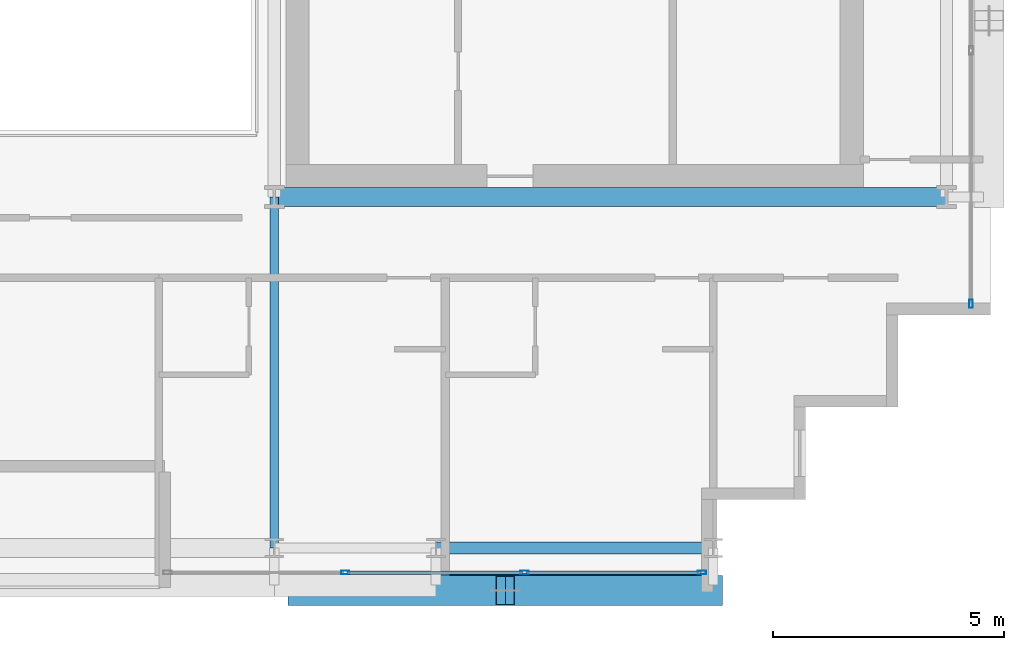
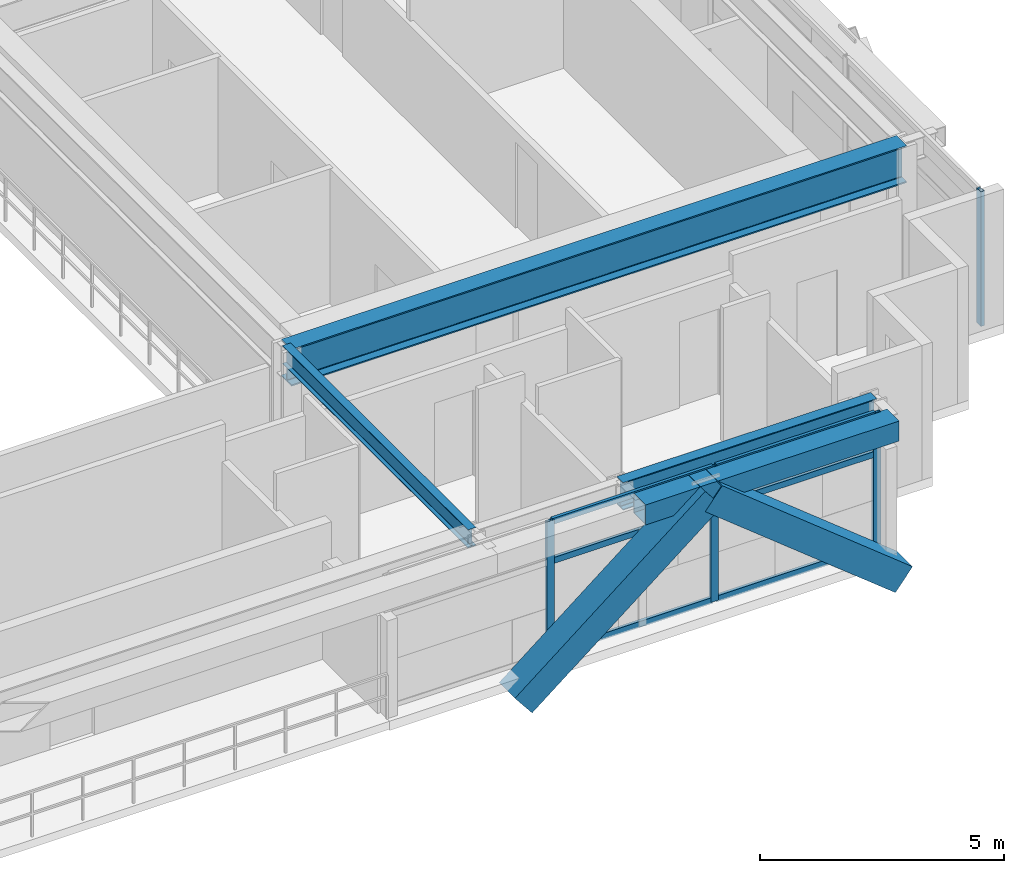
# One storey, part 10 of 31: 12 members, 4 beams, 2 elements without a shape of their own.
"""IFC4 building model written with IfcOpenShell, lengths in metres."""

import ifcopenshell
import ifcopenshell.guid

model = None  # the IFC model being written
_history = None  # IfcOwnerHistory: only IFC2X3 demands one
_inside = {}  # id of a spatial element -> (the spatial element, [elements in it])
_under = {}  # id of a project, library or spatial element -> (it, [spatial elements below it])
_declared = {}  # id of a project -> (the project, [libraries it declares])
_typed = {}  # id of a type object -> (the type object, [elements of that type])
_made_of = {}  # id of a material, layer set ... -> (it, [elements and type objects made of it])


def new_model(schema):
    """Start an empty IFC model of exactly this schema.

    Asked for "IFC4X3", IfcOpenShell would pick the latest addendum, in which some entities
    have other attributes; the version numbers below select the first issue.
    IFC2X3 requires an IfcOwnerHistory on every rooted entity: one is made here for all.
    """
    global model, _history
    if schema == "IFC4X3":
        model = ifcopenshell.file(schema_version=(4, 3, 0, 0))
    else:
        model = ifcopenshell.file(schema=schema)
    _inside.clear()
    _under.clear()
    _declared.clear()
    _typed.clear()
    _made_of.clear()
    _history = None
    if model.schema == "IFC2X3":
        org = make("IfcOrganization", Name="unknown")
        user = make(
            "IfcPersonAndOrganization",
            ThePerson=make("IfcPerson", FamilyName="unknown"),
            TheOrganization=org,
        )
        app = make(
            "IfcApplication",
            ApplicationDeveloper=org,
            Version="unknown",
            ApplicationFullName="unknown",
            ApplicationIdentifier="unknown",
        )
        _history = make(
            "IfcOwnerHistory",
            OwningUser=user,
            OwningApplication=app,
            ChangeAction="ADDED",
            CreationDate=0,
        )
    return model


def make(cls, **values):
    """One entity of the class cls with the attributes given. An attribute that is None is left unset."""
    return model.create_entity(
        cls, **{name: value for name, value in values.items() if value is not None}
    )


def rooted(cls, **values):
    """An entity with a GlobalId (a new one), such as an element, a storey or a relation."""
    return make(cls, GlobalId=ifcopenshell.guid.new(), OwnerHistory=_history, **values)


def si_unit(unit_type, name, prefix=None):
    """IfcSIUnit, for example si_unit("LENGTHUNIT", "METRE", prefix="MILLI")."""
    return make("IfcSIUnit", UnitType=unit_type, Prefix=prefix, Name=name)


def assignment(units):
    """IfcUnitAssignment: the units of a project."""
    return None if units is None else make("IfcUnitAssignment", Units=units)


def point(xyz):
    """IfcCartesianPoint."""
    return None if xyz is None else make("IfcCartesianPoint", Coordinates=xyz)


def direction(xyz):
    """IfcDirection."""
    return None if xyz is None else make("IfcDirection", DirectionRatios=xyz)


def frame(location, z_axis=None, x_axis=None):
    """IfcAxis2Placement3D, a coordinate frame: its origin and axes. An axis left out is left unset."""
    return make(
        "IfcAxis2Placement3D",
        Location=point(location),
        Axis=direction(z_axis),
        RefDirection=direction(x_axis),
    )


def frame_2d(location, x_axis=None):
    """IfcAxis2Placement2D, a coordinate frame in the plane: its origin and x axis."""
    return make(
        "IfcAxis2Placement2D", Location=point(location), RefDirection=direction(x_axis)
    )


def origin():
    """The frame at (0, 0, 0) with its axes left unset."""
    return frame((0.0, 0.0, 0.0))


def origin_2d():
    """The frame at (0, 0) in the plane with its x axis left unset."""
    return frame_2d((0.0, 0.0))


def place(relative_to, where):
    """IfcLocalPlacement: puts the frame where relative to a parent placement (None: the world)."""
    return make(
        "IfcLocalPlacement", PlacementRelTo=relative_to, RelativePlacement=where
    )


def context(
    kind, dimensions, precision=None, world=None, true_north=None, identifier=None
):
    """IfcGeometricRepresentationContext, for example the 3D "Model" context."""
    return make(
        "IfcGeometricRepresentationContext",
        ContextIdentifier=identifier,
        ContextType=kind,
        CoordinateSpaceDimension=dimensions,
        Precision=precision,
        WorldCoordinateSystem=world,
        TrueNorth=true_north,
    )


def subcontext(parent, identifier, kind, view, scale=None):
    """IfcGeometricRepresentationSubContext, for example "Body" below "Model"."""
    return make(
        "IfcGeometricRepresentationSubContext",
        ContextIdentifier=identifier,
        ContextType=kind,
        ParentContext=parent,
        TargetScale=scale,
        TargetView=view,
    )


def project(units=None, contexts=None):
    """IfcProject with its units and contexts."""
    return rooted(
        "IfcProject",
        Name="project",
        RepresentationContexts=contexts,
        UnitsInContext=assignment(units),
    )


def spatial(cls, under=None, at=None, **own):
    """A site, building, storey or space (cls), placed at a placement, below another one or the project."""
    s = rooted(cls, ObjectPlacement=at, **own)
    if under is not None:
        _under.setdefault(under.id(), (under, []))[1].append(s)
    return s


def profile(cls, at=None, kind="AREA", **sizes):
    """A parametric profile (cls). Its sizes go by their IFC names, for example OverallWidth=200.0."""
    return make(cls, ProfileType=kind, Position=at, **sizes)


def hollow_rectangle(**sizes):
    """IfcRectangleHollowProfileDef."""
    return profile("IfcRectangleHollowProfileDef", **sizes)


def i_section(**sizes):
    """IfcIShapeProfileDef."""
    return profile("IfcIShapeProfileDef", **sizes)


def extrude(swept, where, along, depth):
    """IfcExtrudedAreaSolid: the profile swept, set in the frame where, extruded along a direction by depth."""
    return make(
        "IfcExtrudedAreaSolid",
        SweptArea=swept,
        Position=where,
        ExtrudedDirection=direction(along),
        Depth=depth,
    )


def shape(context_of_items, identifier, shape_type, items):
    """IfcShapeRepresentation: the items that make up one representation, for example the "Body"."""
    return make(
        "IfcShapeRepresentation",
        ContextOfItems=context_of_items,
        RepresentationIdentifier=identifier,
        RepresentationType=shape_type,
        Items=items,
    )


def source(mapping_origin, context_of_items, identifier, shape_type, items):
    """IfcRepresentationMap: a shape defined once, which mapped items show again and again."""
    return make(
        "IfcRepresentationMap",
        MappingOrigin=mapping_origin,
        MappedRepresentation=shape(context_of_items, identifier, shape_type, items),
    )


def transform(
    local_origin,
    x_axis=None,
    y_axis=None,
    z_axis=None,
    scale=None,
    scale2=None,
    scale3=None,
    uniform=True,
):
    """IfcCartesianTransformationOperator3D, or its non-uniform kind. x_axis, y_axis, z_axis: its Axis1, 2, 3."""
    if uniform:
        return make(
            "IfcCartesianTransformationOperator3D",
            Axis1=direction(x_axis),
            Axis2=direction(y_axis),
            LocalOrigin=point(local_origin),
            Scale=scale,
            Axis3=direction(z_axis),
        )
    return make(
        "IfcCartesianTransformationOperator3DnonUniform",
        Axis1=direction(x_axis),
        Axis2=direction(y_axis),
        LocalOrigin=point(local_origin),
        Scale=scale,
        Axis3=direction(z_axis),
        Scale2=scale2,
        Scale3=scale3,
    )


def mapped(mapping_source, mapping_target):
    """IfcMappedItem: shows the shape of a source again, moved by a transform."""
    return make(
        "IfcMappedItem", MappingSource=mapping_source, MappingTarget=mapping_target
    )


def material(Name=None, Category=None):
    """IfcMaterial."""
    return make("IfcMaterial", Name=Name, Category=Category)


def layer(
    of_material, thickness, ventilated=None, Name=None, Category=None, Priority=None
):
    """IfcMaterialLayer: one layer of a wall or slab, of a material (None: an air gap)."""
    return make(
        "IfcMaterialLayer",
        Material=of_material,
        LayerThickness=thickness,
        IsVentilated=ventilated,
        Name=Name,
        Category=Category,
        Priority=Priority,
    )


def layer_set(layers, Name=None):
    """IfcMaterialLayerSet."""
    return make("IfcMaterialLayerSet", MaterialLayers=layers, LayerSetName=Name)


def material_profile(
    of_material, cross_section, Name=None, Category=None, Priority=None
):
    """IfcMaterialProfile: a cross section and its material."""
    return make(
        "IfcMaterialProfile",
        Name=Name,
        Material=of_material,
        Profile=cross_section,
        Priority=Priority,
        Category=Category,
    )


def profile_set(profiles, Name=None, composite=None):
    """IfcMaterialProfileSet."""
    return make(
        "IfcMaterialProfileSet",
        Name=Name,
        MaterialProfiles=profiles,
        CompositeProfile=composite,
    )


def made_of(thing, what):
    """Note that an element or type object is made of a material, layer set ...; save() writes the relation."""
    if what is not None:
        _made_of.setdefault(what.id(), (what, []))[1].append(thing)
    return thing


def type_object(cls, material=None, **own):
    """A type object (cls), such as IfcWallType, which elements share."""
    return made_of(rooted(cls, **own), material)


def element(
    cls,
    number,
    at=None,
    inside=None,
    cuts=None,
    type_object=None,
    material=None,
    context=None,
    identifier="Body",
    shape_type=None,
    held_by="IfcProductDefinitionShape",
    body=None,
    shapes=None,
    **own,
):
    """One element of the class cls, such as IfcWall. Its Tag is "e" and its number.

    at: its placement. inside: the storey or other place that contains it. cuts: it is an
    opening in that element (IfcRelVoidsElement). A single representation is given by context,
    identifier, shape_type and body (its items); several are given by shapes. held_by: the class
    of the entity that holds the representations. save() writes the other relations.
    """
    e = rooted(cls, Tag="e%d" % number, ObjectPlacement=at, **own)
    if body is not None:
        shapes = [shape(context, identifier, shape_type, body)]
    if shapes is not None:
        e.Representation = make(held_by, Representations=shapes)
    if inside is not None:
        _inside.setdefault(inside.id(), (inside, []))[1].append(e)
    if cuts is not None:
        rooted(
            "IfcRelVoidsElement", RelatingBuildingElement=cuts, RelatedOpeningElement=e
        )
    if type_object is not None:
        _typed.setdefault(type_object.id(), (type_object, []))[1].append(e)
    return made_of(e, material)


def aggregate(whole, parts):
    """IfcRelAggregates: a whole, such as a stair, and the parts it consists of."""
    return rooted("IfcRelAggregates", RelatingObject=whole, RelatedObjects=parts)


def save(model, path):
    """Write the relations noted so far, then the file.

    IfcRelAggregates (storeys below a building ...), IfcRelContainedInSpatialStructure (elements
    in a storey), IfcRelDefinesByType, IfcRelAssociatesMaterial and IfcRelDeclares: one each for
    every whole, place, type object, material and project.
    """
    for whole, parts in _under.values():
        aggregate(whole, parts)
    for where, things in _inside.values():
        rooted(
            "IfcRelContainedInSpatialStructure",
            RelatedElements=things,
            RelatingStructure=where,
        )
    for kind, things in _typed.values():
        rooted("IfcRelDefinesByType", RelatedObjects=things, RelatingType=kind)
    for what, things in _made_of.values():
        rooted("IfcRelAssociatesMaterial", RelatedObjects=things, RelatingMaterial=what)
    for by, libraries in _declared.values():
        rooted("IfcRelDeclares", RelatingContext=by, RelatedDefinitions=libraries)
    model.write(path)


model = new_model("IFC4")

# Units and contexts
model_context = context("Model", 3, precision=1e-05, world=origin(), true_north=direction((0.0, 1.0)))
body_context = subcontext(model_context, "Body", "Model", "MODEL_VIEW")
ifc_project = project(units=[si_unit("LENGTHUNIT", "METRE"), si_unit("AREAUNIT", "SQUARE_METRE"), si_unit("VOLUMEUNIT", "CUBIC_METRE"), si_unit("PLANEANGLEUNIT", "RADIAN"), si_unit("MASSUNIT", "GRAM", prefix="KILO")], contexts=[model_context])

# Site, building, storey
site_placement = place(None, origin())
site = spatial("IfcSite", under=ifc_project, at=site_placement, CompositionType="ELEMENT")
building_placement = place(site_placement, origin())
building = spatial("IfcBuilding", under=site, at=building_placement, Name="Ocotamira Hotel", CompositionType="ELEMENT")
storey_placement = place(building_placement, frame((0.0, 0.0, 174.0)))
storey = spatial("IfcBuildingStorey", under=building, at=storey_placement, Name="L43", CompositionType="ELEMENT", Elevation=174.0)

# Beams
ifc_material_1 = material(Name="Steel ASTM A992 Grade 50", Category="steel")
ifc_material_profile_1 = material_profile(ifc_material_1, i_section(OverallWidth=0.41796875, OverallDepth=0.927001953125, WebThickness=0.019287109375, FlangeThickness=0.031982421875, FilletRadius=0.02392578125, at=origin_2d()), Name="W36X231")
ifc_profile_set_1 = profile_set([ifc_material_profile_1], Name="Steel ASTM A992 Grade 50")
beam_type_1 = type_object("IfcBeamType", Name="BM-GIRD-W36X231", PredefinedType="BEAM", material=ifc_profile_set_1)
shared_shape_1 = source(origin(), body_context, "Body", "SweptSolid", [
    extrude(i_section(OverallWidth=0.41796875, OverallDepth=0.927001953125, WebThickness=0.019287109375, FlangeThickness=0.031982421875, FilletRadius=0.02392578125, at=origin_2d()), origin(), (0.0, 0.0, 1.0), 14.550048828125),
])
beam_1_placement = place(storey_placement, frame((40.5, 14.550048828125, 2.906494140625), z_axis=(1.0, 0.0, 0.0), x_axis=(0.0, 1.0, 0.0)))
element("IfcBeam", 1, at=beam_1_placement, inside=storey, type_object=beam_type_1, Name="L43 Girder Y14.55 X40.5-55.05", PredefinedType="BEAM", context=body_context, shape_type="MappedRepresentation", body=[
    mapped(shared_shape_1, transform((0.0, 0.0, 0.0), scale=1.0)),
])
ifc_material_profile_2 = material_profile(ifc_material_1, i_section(OverallWidth=0.256103515625, OverallDepth=0.693115234375, WebThickness=0.014404296875, FlangeThickness=0.023681640625, FilletRadius=0.01611328125, at=origin_2d()), Name="W27X114")
ifc_profile_set_2 = profile_set([ifc_material_profile_2], Name="Steel ASTM A992 Grade 50")
beam_type_2 = type_object("IfcBeamType", Name="BM-PRIM-W27X114", PredefinedType="BEAM", material=ifc_profile_set_2)
shared_shape_2 = source(origin(), body_context, "Body", "SweptSolid", [
    extrude(i_section(OverallWidth=0.256103515625, OverallDepth=0.693115234375, WebThickness=0.014404296875, FlangeThickness=0.023681640625, FilletRadius=0.01611328125, at=origin_2d()), origin(), (0.0, 0.0, 1.0), 6.0),
])
beam_2_placement = place(storey_placement, frame((44.0, 6.949951171875, 3.0234375), z_axis=(1.0, 0.0, 0.0), x_axis=(0.0, 1.0, 0.0)))
element("IfcBeam", 2, at=beam_2_placement, inside=storey, type_object=beam_type_2, Name="L43 Girder Y6.95 X44-50", PredefinedType="BEAM", context=body_context, shape_type="MappedRepresentation", body=[
    mapped(shared_shape_2, transform((0.0, 0.0, 0.0), scale=1.0)),
])
ifc_material_2 = material(Name="Steel ASTM A500 Grade C", Category="steel")
ifc_material_profile_3 = material_profile(ifc_material_2, hollow_rectangle(XDim=0.5, YDim=0.5, WallThickness=0.02001953125, at=origin_2d()), Name="HSS500X500X20")
ifc_profile_set_3 = profile_set([ifc_material_profile_3], Name="Steel ASTM A500 Grade C")
beam_type_3 = type_object("IfcBeamType", Name="BM-SPAN-HSS500", PredefinedType="USERDEFINED", material=ifc_profile_set_3)
shared_shape_3 = source(origin(), body_context, "Body", "SweptSolid", [
    extrude(hollow_rectangle(XDim=0.5, YDim=0.5, WallThickness=0.02001953125, at=origin_2d()), origin(), (0.0, 0.0, 1.0), 6.0),
])
beam_3_placement = place(storey_placement, frame((44.0, 6.14990234375, 3.1201171875), z_axis=(1.0, 0.0, 0.0), x_axis=(0.0, 1.0, 0.0)))
element("IfcBeam", 3, at=beam_3_placement, inside=storey, type_object=beam_type_3, Name="L43 Edge Spandrel S X44-50", ObjectType="SPANDREL", PredefinedType="USERDEFINED", context=body_context, shape_type="MappedRepresentation", body=[
    mapped(shared_shape_3, transform((0.0, 0.0, 0.0), scale=1.0)),
])
ifc_material_profile_4 = material_profile(ifc_material_1, i_section(OverallWidth=0.18994140625, OverallDepth=0.45703125, WebThickness=0.009033203125, FlangeThickness=0.014404296875, FilletRadius=0.010009765625, at=origin_2d()), Name="W18X50")
ifc_profile_set_4 = profile_set([ifc_material_profile_4], Name="Steel ASTM A992 Grade 50")
beam_type_4 = type_object("IfcBeamType", Name="BM-SEC-W18X50", PredefinedType="JOIST", material=ifc_profile_set_4)
shared_shape_4 = source(origin(), body_context, "Body", "SweptSolid", [
    extrude(i_section(OverallWidth=0.18994140625, OverallDepth=0.45703125, WebThickness=0.009033203125, FlangeThickness=0.014404296875, FilletRadius=0.010009765625, at=origin_2d()), origin(), (0.0, 0.0, 1.0), 7.60009765625),
])
beam_4_placement = place(storey_placement, frame((40.5, 6.949951171875, 3.1416015625), z_axis=(0.0, 1.0, 0.0), x_axis=(-1.0, 0.0, 0.0)))
element("IfcBeam", 4, at=beam_4_placement, inside=storey, type_object=beam_type_4, Name="L43 Beam X40.5 Y6.95-14.55", PredefinedType="JOIST", context=body_context, shape_type="MappedRepresentation", body=[
    mapped(shared_shape_4, transform((0.0, 0.0, 0.0), scale=1.0)),
])

# Members
ifc_material_3 = material(Name="Pale-metal coated steel ASTM A913 Grade 65", Category="steel")
ifc_material_profile_5 = material_profile(ifc_material_3, hollow_rectangle(XDim=0.64990234375, YDim=0.64990234375, WallThickness=0.02197265625, at=origin_2d()), Name="BOX650X650X22")
ifc_profile_set_5 = profile_set([ifc_material_profile_5], Name="Pale-metal coated steel ASTM A913 Grade 65")
member_type_1 = type_object("IfcMemberType", Name="MEM-EXO-BOX650", PredefinedType="BRACE", material=ifc_profile_set_5)
shared_shape_5 = source(origin(), body_context, "Body", "SweptSolid", [
    extrude(hollow_rectangle(XDim=0.64990234375, YDim=0.64990234375, WallThickness=0.02197265625, at=origin_2d()), origin(), (0.0, 0.0, 1.0), 5.762939453125),
])
for number, where, z_axis, x_axis, name in (
    (5, (41.0, 6.030029296875, -0.47998046875), (0.780860543151, 0.0, 0.624705380279), (0.0, 1.0, 0.0), "L43 Exoskeleton Diagrid S3.1"),
    (6, (50.0, 6.030029296875, -0.47998046875), (-0.780860543151, 0.0, 0.624705380279), (0.0, -1.0, 0.0), "L43 Exoskeleton Diagrid S3.2"),
):
    element("IfcMember", number, at=place(storey_placement, frame(where, z_axis=z_axis, x_axis=x_axis)), inside=storey, type_object=member_type_1, Name=name, PredefinedType="BRACE", context=body_context, shape_type="MappedRepresentation", body=[
        mapped(shared_shape_5, transform((0.0, 0.0, 0.0), scale=1.0)),
    ])

# Curtain wall, members
ifc_material_4 = material(Name="Anodised pale-metal aluminium and solar glass", Category="aluminium")
ifc_layer = layer(ifc_material_4, 0.199951171875)
ifc_layer_set = layer_set([ifc_layer], Name="Anodised pale-metal aluminium and solar glass")
curtain_wall_type = type_object("IfcCurtainWallType", Name="CW-SYS4-Z3", PredefinedType="NOTDEFINED", material=ifc_layer_set)
curtain_wall_1_placement = place(storey_placement, origin())
curtain_wall_1 = element("IfcCurtainWall", 7, at=curtain_wall_1_placement, inside=storey, type_object=curtain_wall_type, Name="L43 Curtain Wall CW-4 CW-L43-S2", PredefinedType="NOTDEFINED")
ifc_material_5 = material(Name="Anodised pale-metal aluminium 6063-T6", Category="aluminium")
ifc_material_profile_6 = material_profile(ifc_material_5, hollow_rectangle(XDim=0.080078125, YDim=0.179931640625, WallThickness=0.006103515625, at=origin_2d()), Name="HSS180X80X6")
ifc_profile_set_6 = profile_set([ifc_material_profile_6], Name="Anodised pale-metal aluminium 6063-T6")
member_type_2 = type_object("IfcMemberType", Name="CWM-180X75", PredefinedType="MULLION", material=ifc_profile_set_6)
shared_shape_6 = source(origin(), body_context, "Body", "SweptSolid", [
    extrude(hollow_rectangle(XDim=0.080078125, YDim=0.179931640625, WallThickness=0.006103515625, at=origin_2d()), origin(), (0.0, 0.0, 1.0), 3.3701171875),
])
member_1_placement = place(storey_placement, frame((42.033447265625, 6.419921875, 0.0), z_axis=(0.0, 0.0, 1.0), x_axis=(0.0, 1.0, 0.0)))
member_1 = element("IfcMember", 8, at=member_1_placement, type_object=member_type_2, Name="CW-4 mullion 2", PredefinedType="MULLION", context=body_context, shape_type="MappedRepresentation", body=[
    mapped(shared_shape_6, transform((0.0, 0.0, 0.0), scale=1.0)),
])
member_2_placement = place(storey_placement, frame((45.916748046875, 6.419921875, 0.0), z_axis=(0.0, 0.0, 1.0), x_axis=(0.0, 1.0, 0.0)))
member_2 = element("IfcMember", 9, at=member_2_placement, type_object=member_type_2, Name="CW-4 mullion 3", PredefinedType="MULLION", context=body_context, shape_type="MappedRepresentation", body=[
    mapped(shared_shape_6, transform((0.0, 0.0, 0.0), scale=1.0)),
])
member_3_placement = place(storey_placement, frame((49.760009765625, 6.419921875, 0.0), z_axis=(0.0, 0.0, 1.0), x_axis=(0.0, 1.0, 0.0)))
member_3 = element("IfcMember", 10, at=member_3_placement, type_object=member_type_2, Name="CW-4 mullion 4", PredefinedType="MULLION", context=body_context, shape_type="MappedRepresentation", body=[
    mapped(shared_shape_6, transform((0.0, 0.0, 0.0), scale=1.0)),
])

# Curtain wall, member
curtain_wall_2_placement = place(storey_placement, origin())
curtain_wall_2 = element("IfcCurtainWall", 11, at=curtain_wall_2_placement, inside=storey, type_object=curtain_wall_type, Name="L43 Curtain Wall CW-4 CW-L43-E", PredefinedType="NOTDEFINED")
member_4_placement = place(storey_placement, frame((55.580078125, 12.239990234375, 0.0), z_axis=(0.0, 0.0, 1.0), x_axis=(-1.0, 0.0, 0.0)))
member_4 = element("IfcMember", 12, at=member_4_placement, type_object=member_type_2, Name="CW-4 mullion 1", PredefinedType="MULLION", context=body_context, shape_type="MappedRepresentation", body=[
    mapped(shared_shape_6, transform((0.0, 0.0, 0.0), scale=1.0)),
])
aggregate(curtain_wall_2, [member_4])

# Member
ifc_material_profile_7 = material_profile(ifc_material_5, hollow_rectangle(XDim=0.074951171875, YDim=0.14990234375, WallThickness=0.006103515625, at=origin_2d()), Name="HSS150X75X6")
ifc_profile_set_7 = profile_set([ifc_material_profile_7], Name="Anodised pale-metal aluminium 6063-T6")
member_type_3 = type_object("IfcMemberType", Name="CWT-150X75", PredefinedType="USERDEFINED", material=ifc_profile_set_7)
shared_shape_7 = source(origin(), body_context, "Body", "SweptSolid", [
    extrude(hollow_rectangle(XDim=0.074951171875, YDim=0.14990234375, WallThickness=0.006103515625, at=origin_2d()), origin(), (0.0, 0.0, 1.0), 3.76318359375),
])
member_5_placement = place(storey_placement, frame((45.956787109375, 6.419921875, 0.03759765625), z_axis=(1.0, 0.0, 0.0), x_axis=(0.0, 1.0, 0.0)))
member_5 = element("IfcMember", 13, at=member_5_placement, type_object=member_type_3, Name="CW-4 transom 3.1", ObjectType="TRANSOM", PredefinedType="USERDEFINED", context=body_context, shape_type="MappedRepresentation", body=[
    mapped(shared_shape_7, transform((0.0, 0.0, 0.0), scale=1.0)),
])

member_6_placement = place(storey_placement, frame((45.956787109375, 6.419921875, 2.35009765625), z_axis=(1.0, 0.0, 0.0), x_axis=(0.0, 1.0, 0.0)))
member_6 = element("IfcMember", 14, at=member_6_placement, type_object=member_type_3, Name="CW-4 transom 3.2", ObjectType="TRANSOM", PredefinedType="USERDEFINED", context=body_context, shape_type="MappedRepresentation", body=[
    mapped(shared_shape_7, transform((0.0, 0.0, 0.0), scale=1.0)),
])

member_7_placement = place(storey_placement, frame((45.956787109375, 6.419921875, 3.33251953125), z_axis=(1.0, 0.0, 0.0), x_axis=(0.0, 1.0, 0.0)))
member_7 = element("IfcMember", 15, at=member_7_placement, type_object=member_type_3, Name="CW-4 transom 3.3", ObjectType="TRANSOM", PredefinedType="USERDEFINED", context=body_context, shape_type="MappedRepresentation", body=[
    mapped(shared_shape_7, transform((0.0, 0.0, 0.0), scale=1.0)),
])

shared_shape_8 = source(origin(), body_context, "Body", "SweptSolid", [
    extrude(hollow_rectangle(XDim=0.074951171875, YDim=0.14990234375, WallThickness=0.006103515625, at=origin_2d()), origin(), (0.0, 0.0, 1.0), 3.803466796875),
])
member_8_placement = place(storey_placement, frame((42.0732421875, 6.419921875, 0.03759765625), z_axis=(1.0, 0.0, 0.0), x_axis=(0.0, 1.0, 0.0)))
member_8 = element("IfcMember", 16, at=member_8_placement, type_object=member_type_3, Name="CW-4 transom 2.1", ObjectType="TRANSOM", PredefinedType="USERDEFINED", context=body_context, shape_type="MappedRepresentation", body=[
    mapped(shared_shape_8, transform((0.0, 0.0, 0.0), scale=1.0)),
])

member_9_placement = place(storey_placement, frame((42.0732421875, 6.419921875, 2.35009765625), z_axis=(1.0, 0.0, 0.0), x_axis=(0.0, 1.0, 0.0)))
member_9 = element("IfcMember", 17, at=member_9_placement, type_object=member_type_3, Name="CW-4 transom 2.2", ObjectType="TRANSOM", PredefinedType="USERDEFINED", context=body_context, shape_type="MappedRepresentation", body=[
    mapped(shared_shape_8, transform((0.0, 0.0, 0.0), scale=1.0)),
])

member_10_placement = place(storey_placement, frame((42.0732421875, 6.419921875, 3.33251953125), z_axis=(1.0, 0.0, 0.0), x_axis=(0.0, 1.0, 0.0)))
member_10 = element("IfcMember", 18, at=member_10_placement, type_object=member_type_3, Name="CW-4 transom 2.3", ObjectType="TRANSOM", PredefinedType="USERDEFINED", context=body_context, shape_type="MappedRepresentation", body=[
    mapped(shared_shape_8, transform((0.0, 0.0, 0.0), scale=1.0)),
])

aggregate(curtain_wall_1, [member_1, member_2, member_3, member_8, member_9, member_10, member_5, member_6, member_7])

save(model, "model.ifc")
